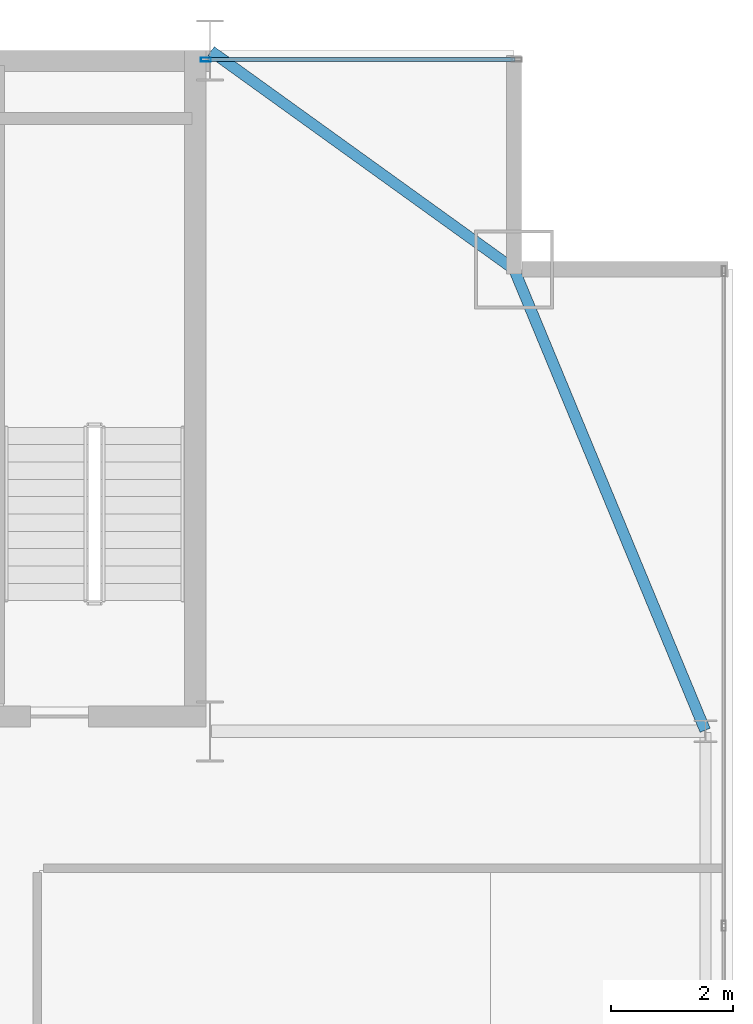
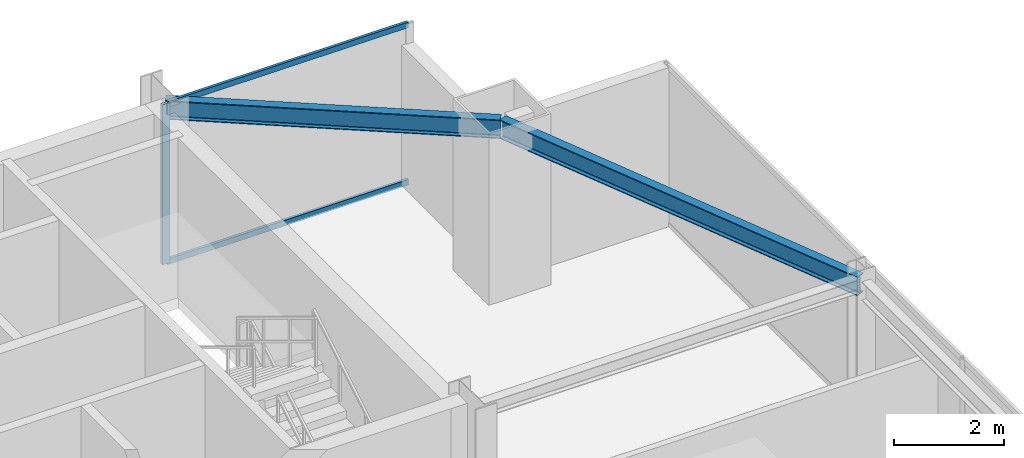
# One storey, part 20 of 30: 3 members, 2 beams, 1 element without a shape of its own.
"""IFC4 building model written with IfcOpenShell, lengths in metres."""

from ifc_helpers import new_model, si_unit, direction, frame, origin, origin_2d, place, context, subcontext, project, spatial, hollow_rectangle, i_section, extrude, source, transform, mapped, material, layer, layer_set, material_profile, profile_set, type_object, type_shapes, element, aggregate, save


model = new_model("IFC4")

# Units and contexts
model_context = context("Model", 3, precision=1e-05, world=origin(), true_north=direction((0.0, 1.0)))
body_context = subcontext(model_context, "Body", "Model", "MODEL_VIEW")
ifc_project = project(units=[si_unit("LENGTHUNIT", "METRE"), si_unit("AREAUNIT", "SQUARE_METRE"), si_unit("VOLUMEUNIT", "CUBIC_METRE"), si_unit("PLANEANGLEUNIT", "RADIAN"), si_unit("MASSUNIT", "GRAM", prefix="KILO")], contexts=[model_context])

# Site, building, storey
site_placement = place(None, origin())
site = spatial("IfcSite", under=ifc_project, at=site_placement, CompositionType="ELEMENT")
building_placement = place(site_placement, origin())
building = spatial("IfcBuilding", under=site, at=building_placement, Name="Varnel Quay Broadcast Tower", CompositionType="ELEMENT")
storey_placement = place(building_placement, frame((0.0, 0.0, 168.60009765625)))
storey = spatial("IfcBuildingStorey", under=building, at=storey_placement, Name="L41", CompositionType="ELEMENT", Elevation=168.60009765625)

# Beams
ifc_material_1 = material(Name="Structural Steel CSA G40.21 350W", Category="steel")
ifc_material_profile_1 = material_profile(ifc_material_1, i_section(OverallWidth=0.180908203125, OverallDepth=0.4169921875, WebThickness=0.010986328125, FlangeThickness=0.018310546875, FilletRadius=0.011962890625, at=origin_2d()), Name="W410X85")
ifc_profile_set_1 = profile_set([ifc_material_profile_1], Name="Structural Steel CSA G40.21 350W")
beam_type = type_object("IfcBeamType", Name="Beam_W410X85", PredefinedType="SPANDREL", material=ifc_profile_set_1)
shared_shape_1 = source(origin(), body_context, "Body", "SweptSolid", [
    extrude(i_section(OverallWidth=0.180908203125, OverallDepth=0.4169921875, WebThickness=0.010986328125, FlangeThickness=0.018310546875, FilletRadius=0.011962890625, at=origin_2d()), origin(), (0.0, 0.0, 1.0), 8.186767578125),
])
beam_1_placement = place(storey_placement, frame((60.542236328125, 35.618408203125, 3.34130859375), z_axis=(-0.382874132092, 0.923800519038, 0.0), x_axis=(-0.923800519038, -0.382874132092, 0.0)))
element("IfcBeam", 1, at=beam_1_placement, inside=storey, type_object=beam_type, Name="L41 East Spandrel TC-E3-MC-NE", PredefinedType="SPANDREL", context=body_context, shape_type="MappedRepresentation", body=[
    mapped(shared_shape_1, transform((0.0, 0.0, 0.0), x_axis=(1.0, 0.0, 0.0), y_axis=(0.0, 1.0, 0.0), z_axis=(0.0, 0.0, 1.0), scale=1.0)),
])
shared_shape_2 = source(origin(), body_context, "Body", "SweptSolid", [
    extrude(i_section(OverallWidth=0.180908203125, OverallDepth=0.4169921875, WebThickness=0.010986328125, FlangeThickness=0.018310546875, FilletRadius=0.011962890625, at=origin_2d()), origin(), (0.0, 0.0, 1.0), 6.12109375),
])
type_shapes(beam_type, [shared_shape_1, shared_shape_2])
beam_2_placement = place(storey_placement, frame((52.416259765625, 46.788330078125, 3.34130859375), z_axis=(0.811531315425, -0.584308928637, 0.0), x_axis=(0.584308928637, 0.811531315425, 0.0)))
element("IfcBeam", 2, at=beam_2_placement, inside=storey, type_object=beam_type, Name="L41 NE Tie Spandrel", PredefinedType="SPANDREL", context=body_context, shape_type="MappedRepresentation", body=[
    mapped(shared_shape_2, transform((0.0, 0.0, 0.0), x_axis=(1.0, 0.0, 0.0), y_axis=(0.0, 1.0, 0.0), z_axis=(0.0, 0.0, 1.0), scale=1.0)),
])

# Curtain wall, members
ifc_material_2 = material(Name="Anodised Bronze Aluminium 6063-T6", Category="aluminium")
ifc_layer = layer(ifc_material_2, 0.18994140625, Name="Anodised Bronze Aluminium 6063-T6")
ifc_layer_set = layer_set([ifc_layer], Name="Anodised Bronze Aluminium 6063-T6")
curtain_wall_type = type_object("IfcCurtainWallType", Name="CW_UpperTower", PredefinedType="NOTDEFINED", material=ifc_layer_set)
curtain_wall_placement = place(storey_placement, origin())
curtain_wall = element("IfcCurtainWall", 3, at=curtain_wall_placement, inside=storey, type_object=curtain_wall_type, Name="L41 NE Wing Curtain Wall", PredefinedType="NOTDEFINED")
ifc_material_profile_2 = material_profile(ifc_material_2, hollow_rectangle(XDim=0.06005859375, YDim=0.125, WallThickness=0.0029296875, at=origin_2d()), Name="ALU60X125X3")
ifc_profile_set_2 = profile_set([ifc_material_profile_2], Name="Anodised Bronze Aluminium 6063-T6")
member_type_1 = type_object("IfcMemberType", Name="Tran_CWS-03", PredefinedType="USERDEFINED", material=ifc_profile_set_2)
shared_shape_3 = source(origin(), body_context, "Body", "SweptSolid", [
    extrude(hollow_rectangle(XDim=0.06005859375, YDim=0.125, WallThickness=0.0029296875, at=origin_2d()), origin(), (0.0, 0.0, 1.0), 5.050048828125),
])
type_shapes(member_type_1, [shared_shape_3])
member_1_placement = place(storey_placement, frame((52.364990234375, 46.64990234375, 0.02978515625), z_axis=(1.0, 0.0, 0.0), x_axis=(0.0, 1.0, 0.0)))
member_1 = element("IfcMember", 4, at=member_1_placement, type_object=member_type_1, Name="CWS-03 transom 1.1", ObjectType="TRANSOM", PredefinedType="USERDEFINED", context=body_context, shape_type="MappedRepresentation", body=[
    mapped(shared_shape_3, transform((0.0, 0.0, 0.0), x_axis=(1.0, 0.0, 0.0), y_axis=(0.0, 1.0, 0.0), z_axis=(0.0, 0.0, 1.0), scale=1.0)),
])
member_2_placement = place(storey_placement, frame((52.364990234375, 46.64990234375, 3.52001953125), z_axis=(1.0, 0.0, 0.0), x_axis=(0.0, 1.0, 0.0)))
member_2 = element("IfcMember", 5, at=member_2_placement, type_object=member_type_1, Name="CWS-03 transom 1.2", ObjectType="TRANSOM", PredefinedType="USERDEFINED", context=body_context, shape_type="MappedRepresentation", body=[
    mapped(shared_shape_3, transform((0.0, 0.0, 0.0), x_axis=(1.0, 0.0, 0.0), y_axis=(0.0, 1.0, 0.0), z_axis=(0.0, 0.0, 1.0), scale=1.0)),
])
ifc_material_profile_3 = material_profile(ifc_material_2, hollow_rectangle(XDim=0.06494140625, YDim=0.1650390625, WallThickness=0.00341796875, at=origin_2d()), Name="ALU65X165X3.5")
ifc_profile_set_3 = profile_set([ifc_material_profile_3], Name="Anodised Bronze Aluminium 6063-T6")
member_type_2 = type_object("IfcMemberType", Name="Mull_CWS-03", PredefinedType="MULLION", material=ifc_profile_set_3)
shared_shape_4 = source(origin(), body_context, "Body", "SweptSolid", [
    extrude(hollow_rectangle(XDim=0.06494140625, YDim=0.1650390625, WallThickness=0.00341796875, at=origin_2d()), origin(), (0.0, 0.0, 1.0), 3.5498046875),
])
type_shapes(member_type_2, [shared_shape_4])
member_3_placement = place(storey_placement, frame((52.33251953125, 46.64990234375, 0.0), z_axis=(0.0, 0.0, 1.0), x_axis=(0.0, 1.0, 0.0)))
member_3 = element("IfcMember", 6, at=member_3_placement, type_object=member_type_2, Name="CWS-03 mullion 1", PredefinedType="MULLION", context=body_context, shape_type="MappedRepresentation", body=[
    mapped(shared_shape_4, transform((0.0, 0.0, 0.0), x_axis=(1.0, 0.0, 0.0), y_axis=(0.0, 1.0, 0.0), z_axis=(0.0, 0.0, 1.0), scale=1.0)),
])
aggregate(curtain_wall, [member_3, member_1, member_2])

save(model, "model.ifc")
